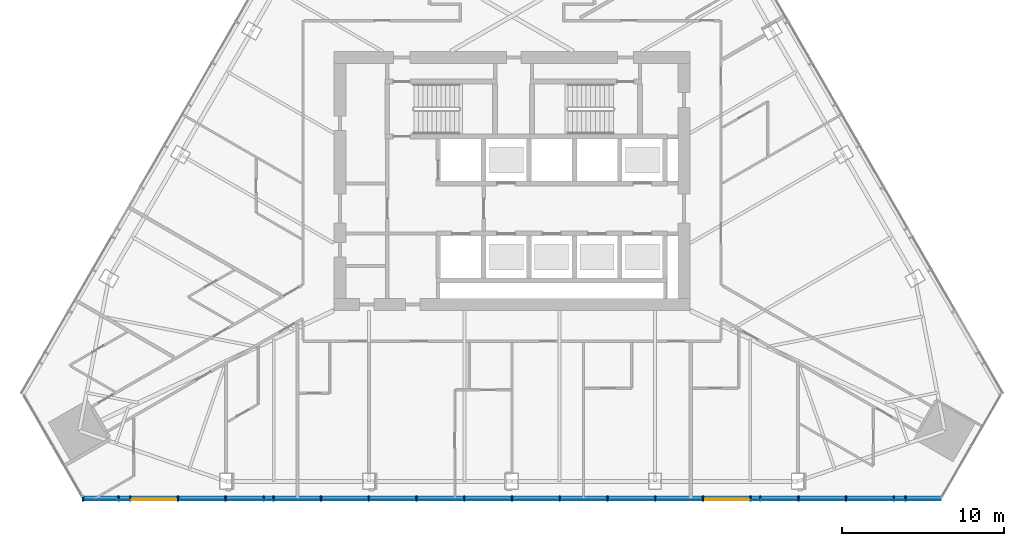
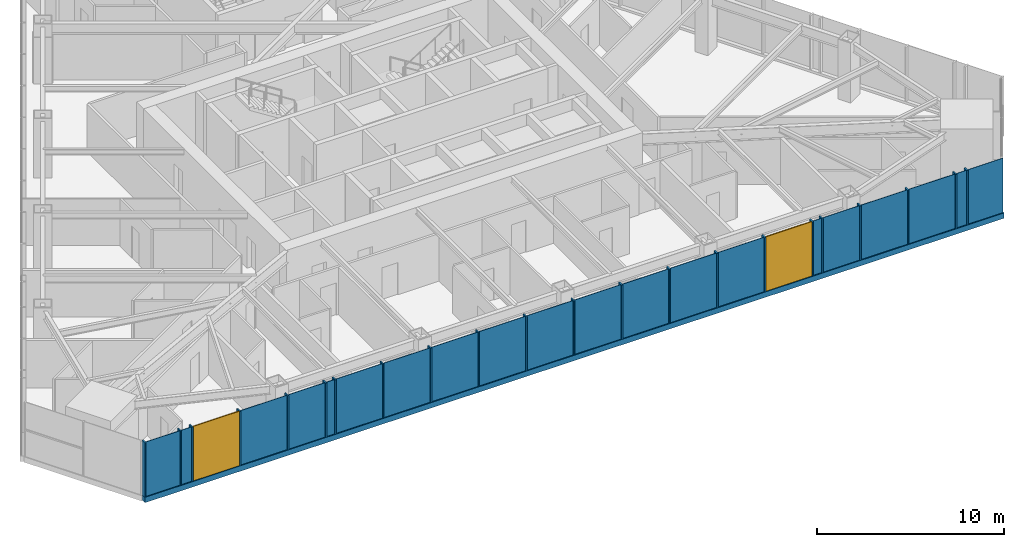
# One storey, part 3 of 19: 23 members, 20 plates, 2 windows, 2 openings, 1 element without a shape of its own.
"""IFC4 building model written with IfcOpenShell, lengths in metres."""

from ifc_helpers import new_model, si_unit, direction, frame, frame_2d, origin, origin_2d, place, context, subcontext, project, spatial, polyline, rectangle, outline, extrude, material, layer, layer_set, material_profile, profile_set, type_object, element, fill, aggregate, save


model = new_model("IFC4")

# Units and contexts
model_context = context("Model", 3, precision=1e-05, world=origin(), true_north=direction((0.0, 1.0)))
body_context = subcontext(model_context, "Body", "Model", "MODEL_VIEW")
ifc_project = project(units=[si_unit("LENGTHUNIT", "METRE"), si_unit("AREAUNIT", "SQUARE_METRE"), si_unit("VOLUMEUNIT", "CUBIC_METRE"), si_unit("PLANEANGLEUNIT", "RADIAN"), si_unit("MASSUNIT", "GRAM", prefix="KILO")], contexts=[model_context])

# Site, building, storey
site_placement = place(None, origin())
site = spatial("IfcSite", under=ifc_project, at=site_placement, CompositionType="ELEMENT")
building_placement = place(site_placement, origin())
building = spatial("IfcBuilding", under=site, at=building_placement, Name="Firuza Gate Tower and Library", CompositionType="ELEMENT")
storey_placement = place(building_placement, frame((0.0, 0.0, 183.10009765625)))
storey = spatial("IfcBuildingStorey", under=building, at=storey_placement, Name="L42", CompositionType="ELEMENT", Elevation=183.10009765625)

# Curtain wall, openings, members, plates, windows
ifc_material_1 = material(Name="Aluminium 6063-T6", Category="aluminium")
ifc_layer_1 = layer(ifc_material_1, 0.14990234375)
ifc_layer_set_1 = layer_set([ifc_layer_1], Name="Unitised curtain wall, hotel")
curtain_wall_type = type_object("IfcCurtainWallType", Name="Unitised curtain wall, hotel", PredefinedType="NOTDEFINED", material=ifc_layer_set_1)
curtain_wall_placement = place(storey_placement, origin())
curtain_wall = element("IfcCurtainWall", 1, at=curtain_wall_placement, inside=storey, type_object=curtain_wall_type, Name="CW2 L42 S face", PredefinedType="NOTDEFINED")
opening_1_placement = place(curtain_wall_placement, frame((51.47119140625, 55.314697265625, 0.14990234375), z_axis=(0.0, 0.0, 1.0), x_axis=(1.0, 0.0, 0.0)))
opening_1 = element("IfcOpeningElement", 2, at=opening_1_placement, cuts=curtain_wall, Name="Opening WD1-003", PredefinedType="OPENING", context=body_context, shape_type="SweptSolid", body=[
    extrude(rectangle(XDim=2.8662109375, YDim=3.550048828125, at=frame_2d((1.43310546875, 1.77490234375))), frame((0.0, 0.0849609375, 0.0), z_axis=(0.0, -1.0, 0.0), x_axis=(1.0, 0.0, 0.0)), (0.0, 0.0, 1.0), 0.169921875),
])
opening_2_placement = place(curtain_wall_placement, frame((86.824462890625, 55.314697265625, 0.14990234375), z_axis=(0.0, 0.0, 1.0), x_axis=(1.0, 0.0, 0.0)))
opening_2 = element("IfcOpeningElement", 3, at=opening_2_placement, cuts=curtain_wall, Name="Opening WD1-004", PredefinedType="OPENING", context=body_context, shape_type="SweptSolid", body=[
    extrude(rectangle(XDim=2.8662109375, YDim=3.550048828125, at=frame_2d((1.43310546875, 1.77490234375))), frame((0.0, 0.0849609375, 0.0), z_axis=(0.0, -1.0, 0.0), x_axis=(1.0, 0.0, 0.0)), (0.0, 0.0, 1.0), 0.169921875),
])
ifc_material_2 = material(Name="Aluminium 6063-T6", Category="aluminium")
ifc_material_profile_1 = material_profile(ifc_material_2, rectangle(XDim=0.320068359375, YDim=0.080078125, at=origin_2d()))
ifc_profile_set_1 = profile_set([ifc_material_profile_1], Name="Aluminium 6063-T6")
member_type_1 = type_object("IfcMemberType", Name="Curtain wall mullion 80x320", PredefinedType="MULLION", material=ifc_profile_set_1)
member_1_placement = place(storey_placement, frame((48.525146484375, 55.399658203125, 0.14990234375), z_axis=(0.0, 0.0, 1.0), x_axis=(0.0, 1.0, 0.0)))
member_1 = element("IfcMember", 4, at=member_1_placement, type_object=member_type_1, Name="Mullion", PredefinedType="MULLION", context=body_context, shape_type="SweptSolid", body=[
    extrude(rectangle(XDim=0.320068359375, YDim=0.080078125, at=origin_2d()), origin(), (0.0, 0.0, 1.0), 3.550048828125),
])
member_2_placement = place(storey_placement, frame((51.43115234375, 55.399658203125, 0.14990234375), z_axis=(0.0, 0.0, 1.0), x_axis=(0.0, 1.0, 0.0)))
member_2 = element("IfcMember", 5, at=member_2_placement, type_object=member_type_1, Name="Mullion", PredefinedType="MULLION", context=body_context, shape_type="SweptSolid", body=[
    extrude(rectangle(XDim=0.320068359375, YDim=0.080078125, at=origin_2d()), origin(), (0.0, 0.0, 1.0), 3.550048828125),
])
member_3_placement = place(storey_placement, frame((54.37744140625, 55.399658203125, 0.14990234375), z_axis=(0.0, 0.0, 1.0), x_axis=(0.0, 1.0, 0.0)))
member_3 = element("IfcMember", 6, at=member_3_placement, type_object=member_type_1, Name="Mullion", PredefinedType="MULLION", context=body_context, shape_type="SweptSolid", body=[
    extrude(rectangle(XDim=0.320068359375, YDim=0.080078125, at=origin_2d()), origin(), (0.0, 0.0, 1.0), 3.550048828125),
])
member_4_placement = place(storey_placement, frame((57.323486328125, 55.399658203125, 0.14990234375), z_axis=(0.0, 0.0, 1.0), x_axis=(0.0, 1.0, 0.0)))
member_4 = element("IfcMember", 7, at=member_4_placement, type_object=member_type_1, Name="Mullion", PredefinedType="MULLION", context=body_context, shape_type="SweptSolid", body=[
    extrude(rectangle(XDim=0.320068359375, YDim=0.080078125, at=origin_2d()), origin(), (0.0, 0.0, 1.0), 3.550048828125),
])
member_5_placement = place(storey_placement, frame((60.26953125, 55.399658203125, 0.14990234375), z_axis=(0.0, 0.0, 1.0), x_axis=(0.0, 1.0, 0.0)))
member_5 = element("IfcMember", 8, at=member_5_placement, type_object=member_type_1, Name="Mullion", PredefinedType="MULLION", context=body_context, shape_type="SweptSolid", body=[
    extrude(rectangle(XDim=0.320068359375, YDim=0.080078125, at=origin_2d()), origin(), (0.0, 0.0, 1.0), 3.550048828125),
])
member_6_placement = place(storey_placement, frame((63.215576171875, 55.399658203125, 0.14990234375), z_axis=(0.0, 0.0, 1.0), x_axis=(0.0, 1.0, 0.0)))
member_6 = element("IfcMember", 9, at=member_6_placement, type_object=member_type_1, Name="Mullion", PredefinedType="MULLION", context=body_context, shape_type="SweptSolid", body=[
    extrude(rectangle(XDim=0.320068359375, YDim=0.080078125, at=origin_2d()), origin(), (0.0, 0.0, 1.0), 3.550048828125),
])
member_7_placement = place(storey_placement, frame((66.16162109375, 55.399658203125, 0.14990234375), z_axis=(0.0, 0.0, 1.0), x_axis=(0.0, 1.0, 0.0)))
member_7 = element("IfcMember", 10, at=member_7_placement, type_object=member_type_1, Name="Mullion", PredefinedType="MULLION", context=body_context, shape_type="SweptSolid", body=[
    extrude(rectangle(XDim=0.320068359375, YDim=0.080078125, at=origin_2d()), origin(), (0.0, 0.0, 1.0), 3.550048828125),
])
member_8_placement = place(storey_placement, frame((69.10791015625, 55.399658203125, 0.14990234375), z_axis=(0.0, 0.0, 1.0), x_axis=(0.0, 1.0, 0.0)))
member_8 = element("IfcMember", 11, at=member_8_placement, type_object=member_type_1, Name="Mullion", PredefinedType="MULLION", context=body_context, shape_type="SweptSolid", body=[
    extrude(rectangle(XDim=0.320068359375, YDim=0.080078125, at=origin_2d()), origin(), (0.0, 0.0, 1.0), 3.550048828125),
])
member_9_placement = place(storey_placement, frame((72.053955078125, 55.399658203125, 0.14990234375), z_axis=(0.0, 0.0, 1.0), x_axis=(0.0, 1.0, 0.0)))
member_9 = element("IfcMember", 12, at=member_9_placement, type_object=member_type_1, Name="Mullion", PredefinedType="MULLION", context=body_context, shape_type="SweptSolid", body=[
    extrude(rectangle(XDim=0.320068359375, YDim=0.080078125, at=origin_2d()), origin(), (0.0, 0.0, 1.0), 3.550048828125),
])
member_10_placement = place(storey_placement, frame((75.0, 55.399658203125, 0.14990234375), z_axis=(0.0, 0.0, 1.0), x_axis=(0.0, 1.0, 0.0)))
member_10 = element("IfcMember", 13, at=member_10_placement, type_object=member_type_1, Name="Mullion", PredefinedType="MULLION", context=body_context, shape_type="SweptSolid", body=[
    extrude(rectangle(XDim=0.320068359375, YDim=0.080078125, at=origin_2d()), origin(), (0.0, 0.0, 1.0), 3.550048828125),
])
member_11_placement = place(storey_placement, frame((77.946044921875, 55.399658203125, 0.14990234375), z_axis=(0.0, 0.0, 1.0), x_axis=(0.0, 1.0, 0.0)))
member_11 = element("IfcMember", 14, at=member_11_placement, type_object=member_type_1, Name="Mullion", PredefinedType="MULLION", context=body_context, shape_type="SweptSolid", body=[
    extrude(rectangle(XDim=0.320068359375, YDim=0.080078125, at=origin_2d()), origin(), (0.0, 0.0, 1.0), 3.550048828125),
])
member_12_placement = place(storey_placement, frame((80.89208984375, 55.399658203125, 0.14990234375), z_axis=(0.0, 0.0, 1.0), x_axis=(0.0, 1.0, 0.0)))
member_12 = element("IfcMember", 15, at=member_12_placement, type_object=member_type_1, Name="Mullion", PredefinedType="MULLION", context=body_context, shape_type="SweptSolid", body=[
    extrude(rectangle(XDim=0.320068359375, YDim=0.080078125, at=origin_2d()), origin(), (0.0, 0.0, 1.0), 3.550048828125),
])
member_13_placement = place(storey_placement, frame((83.83837890625, 55.399658203125, 0.14990234375), z_axis=(0.0, 0.0, 1.0), x_axis=(0.0, 1.0, 0.0)))
member_13 = element("IfcMember", 16, at=member_13_placement, type_object=member_type_1, Name="Mullion", PredefinedType="MULLION", context=body_context, shape_type="SweptSolid", body=[
    extrude(rectangle(XDim=0.320068359375, YDim=0.080078125, at=origin_2d()), origin(), (0.0, 0.0, 1.0), 3.550048828125),
])
member_14_placement = place(storey_placement, frame((86.784423828125, 55.399658203125, 0.14990234375), z_axis=(0.0, 0.0, 1.0), x_axis=(0.0, 1.0, 0.0)))
member_14 = element("IfcMember", 17, at=member_14_placement, type_object=member_type_1, Name="Mullion", PredefinedType="MULLION", context=body_context, shape_type="SweptSolid", body=[
    extrude(rectangle(XDim=0.320068359375, YDim=0.080078125, at=origin_2d()), origin(), (0.0, 0.0, 1.0), 3.550048828125),
])
member_15_placement = place(storey_placement, frame((89.73046875, 55.399658203125, 0.14990234375), z_axis=(0.0, 0.0, 1.0), x_axis=(0.0, 1.0, 0.0)))
member_15 = element("IfcMember", 18, at=member_15_placement, type_object=member_type_1, Name="Mullion", PredefinedType="MULLION", context=body_context, shape_type="SweptSolid", body=[
    extrude(rectangle(XDim=0.320068359375, YDim=0.080078125, at=origin_2d()), origin(), (0.0, 0.0, 1.0), 3.550048828125),
])
member_16_placement = place(storey_placement, frame((92.676513671875, 55.399658203125, 0.14990234375), z_axis=(0.0, 0.0, 1.0), x_axis=(0.0, 1.0, 0.0)))
member_16 = element("IfcMember", 19, at=member_16_placement, type_object=member_type_1, Name="Mullion", PredefinedType="MULLION", context=body_context, shape_type="SweptSolid", body=[
    extrude(rectangle(XDim=0.320068359375, YDim=0.080078125, at=origin_2d()), origin(), (0.0, 0.0, 1.0), 3.550048828125),
])
member_17_placement = place(storey_placement, frame((95.62255859375, 55.399658203125, 0.14990234375), z_axis=(0.0, 0.0, 1.0), x_axis=(0.0, 1.0, 0.0)))
member_17 = element("IfcMember", 20, at=member_17_placement, type_object=member_type_1, Name="Mullion", PredefinedType="MULLION", context=body_context, shape_type="SweptSolid", body=[
    extrude(rectangle(XDim=0.320068359375, YDim=0.080078125, at=origin_2d()), origin(), (0.0, 0.0, 1.0), 3.550048828125),
])
member_18_placement = place(storey_placement, frame((98.56884765625, 55.399658203125, 0.14990234375), z_axis=(0.0, 0.0, 1.0), x_axis=(0.0, 1.0, 0.0)))
member_18 = element("IfcMember", 21, at=member_18_placement, type_object=member_type_1, Name="Mullion", PredefinedType="MULLION", context=body_context, shape_type="SweptSolid", body=[
    extrude(rectangle(XDim=0.320068359375, YDim=0.080078125, at=origin_2d()), origin(), (0.0, 0.0, 1.0), 3.550048828125),
])
member_19_placement = place(storey_placement, frame((50.71728515625, 55.399658203125, 0.14990234375), z_axis=(0.0, 0.0, 1.0), x_axis=(0.0, 1.0, 0.0)))
member_19 = element("IfcMember", 22, at=member_19_placement, type_object=member_type_1, Name="Mullion", PredefinedType="MULLION", context=body_context, shape_type="SweptSolid", body=[
    extrude(rectangle(XDim=0.320068359375, YDim=0.080078125, at=origin_2d()), origin(), (0.0, 0.0, 1.0), 3.550048828125),
])
member_20_placement = place(storey_placement, frame((59.67919921875, 55.399658203125, 0.14990234375), z_axis=(0.0, 0.0, 1.0), x_axis=(0.0, 1.0, 0.0)))
member_20 = element("IfcMember", 23, at=member_20_placement, type_object=member_type_1, Name="Mullion", PredefinedType="MULLION", context=body_context, shape_type="SweptSolid", body=[
    extrude(rectangle(XDim=0.320068359375, YDim=0.080078125, at=origin_2d()), origin(), (0.0, 0.0, 1.0), 3.550048828125),
])
member_21_placement = place(storey_placement, frame((90.32080078125, 55.399658203125, 0.14990234375), z_axis=(0.0, 0.0, 1.0), x_axis=(0.0, 1.0, 0.0)))
member_21 = element("IfcMember", 24, at=member_21_placement, type_object=member_type_1, Name="Mullion", PredefinedType="MULLION", context=body_context, shape_type="SweptSolid", body=[
    extrude(rectangle(XDim=0.320068359375, YDim=0.080078125, at=origin_2d()), origin(), (0.0, 0.0, 1.0), 3.550048828125),
])
member_22_placement = place(storey_placement, frame((99.28271484375, 55.399658203125, 0.14990234375), z_axis=(0.0, 0.0, 1.0), x_axis=(0.0, 1.0, 0.0)))
member_22 = element("IfcMember", 25, at=member_22_placement, type_object=member_type_1, Name="Mullion", PredefinedType="MULLION", context=body_context, shape_type="SweptSolid", body=[
    extrude(rectangle(XDim=0.320068359375, YDim=0.080078125, at=origin_2d()), origin(), (0.0, 0.0, 1.0), 3.550048828125),
])
ifc_material_3 = material(Name="Aluminium 6063-T6", Category="aluminium")
ifc_material_profile_2 = material_profile(ifc_material_3, rectangle(XDim=0.320068359375, YDim=0.35009765625, at=origin_2d()))
ifc_profile_set_2 = profile_set([ifc_material_profile_2], Name="Aluminium 6063-T6")
member_type_2 = type_object("IfcMemberType", Name="Curtain wall transom 350x320", PredefinedType="USERDEFINED", material=ifc_profile_set_2)
member_23_placement = place(storey_placement, frame((48.485107421875, 55.399658203125, -0.025146484375), z_axis=(1.0, 0.0, 0.0), x_axis=(0.0, 1.0, 0.0)))
member_23 = element("IfcMember", 26, at=member_23_placement, type_object=member_type_2, Name="Transom", ObjectType="TRANSOM", PredefinedType="USERDEFINED", context=body_context, shape_type="SweptSolid", body=[
    extrude(rectangle(XDim=0.320068359375, YDim=0.35009765625, at=origin_2d()), origin(), (0.0, 0.0, 1.0), 53.02978515625),
])
ifc_material_4 = material(Name="Fritted glass", Category="glass")
ifc_layer_2 = layer(ifc_material_4, 0.030029296875)
ifc_layer_set_2 = layer_set([ifc_layer_2], Name="Fritted glass unit, hotel")
plate_type_1 = type_object("IfcPlateType", Name="Fritted glass unit, hotel", PredefinedType="CURTAIN_PANEL", material=ifc_layer_set_2)
plate_1_placement = place(storey_placement, frame((50.757080078125, 55.2998046875, 0.14990234375), z_axis=(0.0, -1.0, 0.0), x_axis=(1.0, 0.0, 0.0)))
plate_1 = element("IfcPlate", 27, at=plate_1_placement, type_object=plate_type_1, Name="Glass unit", PredefinedType="CURTAIN_PANEL", context=body_context, shape_type="SweptSolid", body=[
    extrude(outline(polyline([(0.0, 0.0), (0.634033203125, 0.0), (0.634033203125, 3.550048828125), (0.0, 3.550048828125), (0.0, 0.0)])), origin(), (0.0, 0.0, -1.0), 0.030029296875),
])
plate_2_placement = place(storey_placement, frame((59.718994140625, 55.2998046875, 0.14990234375), z_axis=(0.0, -1.0, 0.0), x_axis=(1.0, 0.0, 0.0)))
plate_2 = element("IfcPlate", 28, at=plate_2_placement, type_object=plate_type_1, Name="Glass unit", PredefinedType="CURTAIN_PANEL", context=body_context, shape_type="SweptSolid", body=[
    extrude(outline(polyline([(0.0, 0.0), (0.510498046875, 0.0), (0.510498046875, 3.550048828125), (0.0, 3.550048828125), (0.0, 0.0)])), origin(), (0.0, 0.0, -1.0), 0.030029296875),
])
plate_3_placement = place(storey_placement, frame((60.3095703125, 55.2998046875, 0.14990234375), z_axis=(0.0, -1.0, 0.0), x_axis=(1.0, 0.0, 0.0)))
plate_3 = element("IfcPlate", 29, at=plate_3_placement, type_object=plate_type_1, Name="Glass unit", PredefinedType="CURTAIN_PANEL", context=body_context, shape_type="SweptSolid", body=[
    extrude(outline(polyline([(0.0, 0.0), (2.865966796875, 0.0), (2.865966796875, 3.550048828125), (0.0, 3.550048828125), (0.0, 0.0)])), origin(), (0.0, 0.0, -1.0), 0.030029296875),
])
plate_4_placement = place(storey_placement, frame((69.147705078125, 55.2998046875, 0.14990234375), z_axis=(0.0, -1.0, 0.0), x_axis=(1.0, 0.0, 0.0)))
plate_4 = element("IfcPlate", 30, at=plate_4_placement, type_object=plate_type_1, Name="Glass unit", PredefinedType="CURTAIN_PANEL", context=body_context, shape_type="SweptSolid", body=[
    extrude(outline(polyline([(0.0, 0.0), (2.8662109375, 0.0), (2.8662109375, 3.550048828125), (0.0, 3.550048828125), (0.0, 0.0)])), origin(), (0.0, 0.0, -1.0), 0.030029296875),
])
plate_5_placement = place(storey_placement, frame((77.986083984375, 55.2998046875, 0.14990234375), z_axis=(0.0, -1.0, 0.0), x_axis=(1.0, 0.0, 0.0)))
plate_5 = element("IfcPlate", 31, at=plate_5_placement, type_object=plate_type_1, Name="Glass unit", PredefinedType="CURTAIN_PANEL", context=body_context, shape_type="SweptSolid", body=[
    extrude(outline(polyline([(0.0, 0.0), (2.8662109375, 0.0), (2.8662109375, 3.550048828125), (0.0, 3.550048828125), (0.0, 0.0)])), origin(), (0.0, 0.0, -1.0), 0.030029296875),
])
plate_6_placement = place(storey_placement, frame((89.7705078125, 55.2998046875, 0.14990234375), z_axis=(0.0, -1.0, 0.0), x_axis=(1.0, 0.0, 0.0)))
plate_6 = element("IfcPlate", 32, at=plate_6_placement, type_object=plate_type_1, Name="Glass unit", PredefinedType="CURTAIN_PANEL", context=body_context, shape_type="SweptSolid", body=[
    extrude(outline(polyline([(0.0, 0.0), (0.510498046875, 0.0), (0.510498046875, 3.550048828125), (0.0, 3.550048828125), (0.0, 0.0)])), origin(), (0.0, 0.0, -1.0), 0.030029296875),
])
plate_7_placement = place(storey_placement, frame((95.66259765625, 55.2998046875, 0.14990234375), z_axis=(0.0, -1.0, 0.0), x_axis=(1.0, 0.0, 0.0)))
plate_7 = element("IfcPlate", 33, at=plate_7_placement, type_object=plate_type_1, Name="Glass unit", PredefinedType="CURTAIN_PANEL", context=body_context, shape_type="SweptSolid", body=[
    extrude(outline(polyline([(0.0, 0.0), (2.8662109375, 0.0), (2.8662109375, 3.550048828125), (0.0, 3.550048828125), (0.0, 0.0)])), origin(), (0.0, 0.0, -1.0), 0.030029296875),
])
plate_8_placement = place(storey_placement, frame((98.60888671875, 55.2998046875, 0.14990234375), z_axis=(0.0, -1.0, 0.0), x_axis=(1.0, 0.0, 0.0)))
plate_8 = element("IfcPlate", 34, at=plate_8_placement, type_object=plate_type_1, Name="Glass unit", PredefinedType="CURTAIN_PANEL", context=body_context, shape_type="SweptSolid", body=[
    extrude(outline(polyline([(0.0, 0.0), (0.634033203125, 0.0), (0.634033203125, 3.550048828125), (0.0, 3.550048828125), (0.0, 0.0)])), origin(), (0.0, 0.0, -1.0), 0.030029296875),
])
ifc_material_5 = material(Name="Glazed ceramic tile")
ifc_layer_3 = layer(ifc_material_5, 0.030029296875)
ifc_layer_set_3 = layer_set([ifc_layer_3], Name="Opaque ceramic panel, hotel")
plate_type_2 = type_object("IfcPlateType", Name="Opaque ceramic panel, hotel", PredefinedType="CURTAIN_PANEL", material=ifc_layer_set_3)
plate_9_placement = place(storey_placement, frame((48.525146484375, 55.2998046875, 0.14990234375), z_axis=(0.0, -1.0, 0.0), x_axis=(1.0, 0.0, 0.0)))
plate_9 = element("IfcPlate", 35, at=plate_9_placement, type_object=plate_type_2, Name="Opaque ceramic panel", PredefinedType="CURTAIN_PANEL", context=body_context, shape_type="SweptSolid", body=[
    extrude(outline(polyline([(0.0, 0.0), (2.152099609375, 0.0), (2.152099609375, 3.550048828125), (0.0, 3.550048828125), (0.0, 0.0)])), origin(), (0.0, 0.0, -1.0), 0.030029296875),
])
plate_10_placement = place(storey_placement, frame((54.417236328125, 55.2998046875, 0.14990234375), z_axis=(0.0, -1.0, 0.0), x_axis=(1.0, 0.0, 0.0)))
plate_10 = element("IfcPlate", 36, at=plate_10_placement, type_object=plate_type_2, Name="Opaque ceramic panel", PredefinedType="CURTAIN_PANEL", context=body_context, shape_type="SweptSolid", body=[
    extrude(outline(polyline([(0.0, 0.0), (2.8662109375, 0.0), (2.8662109375, 3.550048828125), (0.0, 3.550048828125), (0.0, 0.0)])), origin(), (0.0, 0.0, -1.0), 0.030029296875),
])
plate_11_placement = place(storey_placement, frame((57.363525390625, 55.2998046875, 0.14990234375), z_axis=(0.0, -1.0, 0.0), x_axis=(1.0, 0.0, 0.0)))
plate_11 = element("IfcPlate", 37, at=plate_11_placement, type_object=plate_type_2, Name="Opaque ceramic panel", PredefinedType="CURTAIN_PANEL", context=body_context, shape_type="SweptSolid", body=[
    extrude(outline(polyline([(0.0, 0.0), (2.275634765625, 0.0), (2.275634765625, 3.550048828125), (0.0, 3.550048828125), (0.0, 0.0)])), origin(), (0.0, 0.0, -1.0), 0.030029296875),
])
plate_12_placement = place(storey_placement, frame((63.255615234375, 55.2998046875, 0.14990234375), z_axis=(0.0, -1.0, 0.0), x_axis=(1.0, 0.0, 0.0)))
plate_12 = element("IfcPlate", 38, at=plate_12_placement, type_object=plate_type_2, Name="Opaque ceramic panel", PredefinedType="CURTAIN_PANEL", context=body_context, shape_type="SweptSolid", body=[
    extrude(outline(polyline([(0.0, 0.0), (2.8662109375, 0.0), (2.8662109375, 3.550048828125), (0.0, 3.550048828125), (0.0, 0.0)])), origin(), (0.0, 0.0, -1.0), 0.030029296875),
])
plate_13_placement = place(storey_placement, frame((66.20166015625, 55.2998046875, 0.14990234375), z_axis=(0.0, -1.0, 0.0), x_axis=(1.0, 0.0, 0.0)))
plate_13 = element("IfcPlate", 39, at=plate_13_placement, type_object=plate_type_2, Name="Opaque ceramic panel", PredefinedType="CURTAIN_PANEL", context=body_context, shape_type="SweptSolid", body=[
    extrude(outline(polyline([(0.0, 0.0), (2.8662109375, 0.0), (2.8662109375, 3.550048828125), (0.0, 3.550048828125), (0.0, 0.0)])), origin(), (0.0, 0.0, -1.0), 0.030029296875),
])
plate_14_placement = place(storey_placement, frame((72.093994140625, 55.2998046875, 0.14990234375), z_axis=(0.0, -1.0, 0.0), x_axis=(1.0, 0.0, 0.0)))
plate_14 = element("IfcPlate", 40, at=plate_14_placement, type_object=plate_type_2, Name="Opaque ceramic panel", PredefinedType="CURTAIN_PANEL", context=body_context, shape_type="SweptSolid", body=[
    extrude(outline(polyline([(0.0, 0.0), (2.865966796875, 0.0), (2.865966796875, 3.550048828125), (0.0, 3.550048828125), (0.0, 0.0)])), origin(), (0.0, 0.0, -1.0), 0.030029296875),
])
plate_15_placement = place(storey_placement, frame((75.0400390625, 55.2998046875, 0.14990234375), z_axis=(0.0, -1.0, 0.0), x_axis=(1.0, 0.0, 0.0)))
plate_15 = element("IfcPlate", 41, at=plate_15_placement, type_object=plate_type_2, Name="Opaque ceramic panel", PredefinedType="CURTAIN_PANEL", context=body_context, shape_type="SweptSolid", body=[
    extrude(outline(polyline([(0.0, 0.0), (2.865966796875, 0.0), (2.865966796875, 3.550048828125), (0.0, 3.550048828125), (0.0, 0.0)])), origin(), (0.0, 0.0, -1.0), 0.030029296875),
])
plate_16_placement = place(storey_placement, frame((80.93212890625, 55.2998046875, 0.14990234375), z_axis=(0.0, -1.0, 0.0), x_axis=(1.0, 0.0, 0.0)))
plate_16 = element("IfcPlate", 42, at=plate_16_placement, type_object=plate_type_2, Name="Opaque ceramic panel", PredefinedType="CURTAIN_PANEL", context=body_context, shape_type="SweptSolid", body=[
    extrude(outline(polyline([(0.0, 0.0), (2.8662109375, 0.0), (2.8662109375, 3.550048828125), (0.0, 3.550048828125), (0.0, 0.0)])), origin(), (0.0, 0.0, -1.0), 0.030029296875),
])
plate_17_placement = place(storey_placement, frame((83.878173828125, 55.2998046875, 0.14990234375), z_axis=(0.0, -1.0, 0.0), x_axis=(1.0, 0.0, 0.0)))
plate_17 = element("IfcPlate", 43, at=plate_17_placement, type_object=plate_type_2, Name="Opaque ceramic panel", PredefinedType="CURTAIN_PANEL", context=body_context, shape_type="SweptSolid", body=[
    extrude(outline(polyline([(0.0, 0.0), (2.8662109375, 0.0), (2.8662109375, 3.550048828125), (0.0, 3.550048828125), (0.0, 0.0)])), origin(), (0.0, 0.0, -1.0), 0.030029296875),
])
plate_18_placement = place(storey_placement, frame((90.36083984375, 55.2998046875, 0.14990234375), z_axis=(0.0, -1.0, 0.0), x_axis=(1.0, 0.0, 0.0)))
plate_18 = element("IfcPlate", 44, at=plate_18_placement, type_object=plate_type_2, Name="Opaque ceramic panel", PredefinedType="CURTAIN_PANEL", context=body_context, shape_type="SweptSolid", body=[
    extrude(outline(polyline([(0.0, 0.0), (2.275634765625, 0.0), (2.275634765625, 3.550048828125), (0.0, 3.550048828125), (0.0, 0.0)])), origin(), (0.0, 0.0, -1.0), 0.030029296875),
])
plate_19_placement = place(storey_placement, frame((92.716552734375, 55.2998046875, 0.14990234375), z_axis=(0.0, -1.0, 0.0), x_axis=(1.0, 0.0, 0.0)))
plate_19 = element("IfcPlate", 45, at=plate_19_placement, type_object=plate_type_2, Name="Opaque ceramic panel", PredefinedType="CURTAIN_PANEL", context=body_context, shape_type="SweptSolid", body=[
    extrude(outline(polyline([(0.0, 0.0), (2.8662109375, 0.0), (2.8662109375, 3.550048828125), (0.0, 3.550048828125), (0.0, 0.0)])), origin(), (0.0, 0.0, -1.0), 0.030029296875),
])
plate_20_placement = place(storey_placement, frame((99.32275390625, 55.2998046875, 0.14990234375), z_axis=(0.0, -1.0, 0.0), x_axis=(1.0, 0.0, 0.0)))
plate_20 = element("IfcPlate", 46, at=plate_20_placement, type_object=plate_type_2, Name="Opaque ceramic panel", PredefinedType="CURTAIN_PANEL", context=body_context, shape_type="SweptSolid", body=[
    extrude(outline(polyline([(0.0, 0.0), (2.152099609375, 0.0), (2.152099609375, 3.550048828125), (0.0, 3.550048828125), (0.0, 0.0)])), origin(), (0.0, 0.0, -1.0), 0.030029296875),
])
aggregate(curtain_wall, [member_1, member_2, member_3, member_4, member_5, member_6, member_7, member_8, member_9, member_10, member_11, member_12, member_13, member_14, member_15, member_16, member_17, member_18, member_23, plate_9, plate_1, member_19, plate_10, plate_11, plate_2, member_20, plate_3, plate_12, plate_13, plate_4, plate_14, plate_15, plate_5, plate_16, plate_17, plate_6, plate_18, member_21, plate_19, plate_7, plate_8, plate_20, member_22])
ifc_material_6 = material(Name="Aluminium 6063-T6 and glass", Category="aluminium")
ifc_layer_4 = layer(ifc_material_6, 0.030029296875)
ifc_layer_set_4 = layer_set([ifc_layer_4], Name="Operable glazed unit")
window_type = type_object("IfcWindowType", Name="Operable glazed unit", PartitioningType="SINGLE_PANEL", PredefinedType="WINDOW", material=ifc_layer_set_4)
window_1_placement = place(opening_1_placement, origin())
window_1 = element("IfcWindow", 47, at=window_1_placement, inside=storey, type_object=window_type, Name="Operable glazed unit", OverallHeight=3.550048828125, OverallWidth=2.8662109375, PartitioningType="SINGLE_PANEL", PredefinedType="WINDOW", context=body_context, shape_type="SweptSolid", body=[
    extrude(rectangle(XDim=2.8662109375, YDim=3.550048828125, at=frame_2d((1.43310546875, 1.77490234375))), frame((0.0, 0.030029296875, 0.0), z_axis=(0.0, -1.0, 0.0), x_axis=(1.0, 0.0, 0.0)), (0.0, 0.0, 1.0), 0.06005859375),
])
fill(opening_1, window_1)
window_2_placement = place(opening_2_placement, origin())
window_2 = element("IfcWindow", 48, at=window_2_placement, inside=storey, type_object=window_type, Name="Operable glazed unit", OverallHeight=3.550048828125, OverallWidth=2.8662109375, PartitioningType="SINGLE_PANEL", PredefinedType="WINDOW", context=body_context, shape_type="SweptSolid", body=[
    extrude(rectangle(XDim=2.8662109375, YDim=3.550048828125, at=frame_2d((1.43310546875, 1.77490234375))), frame((0.0, 0.030029296875, 0.0), z_axis=(0.0, -1.0, 0.0), x_axis=(1.0, 0.0, 0.0)), (0.0, 0.0, 1.0), 0.06005859375),
])
fill(opening_2, window_2)

save(model, "model.ifc")
